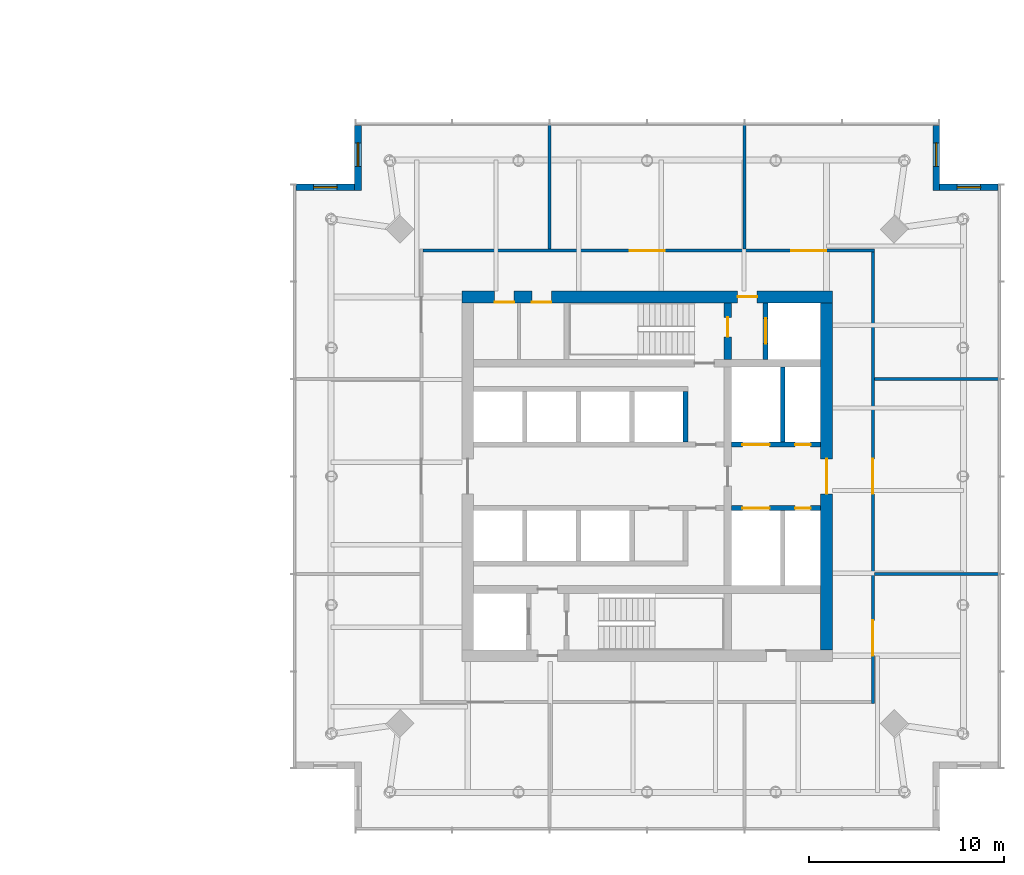
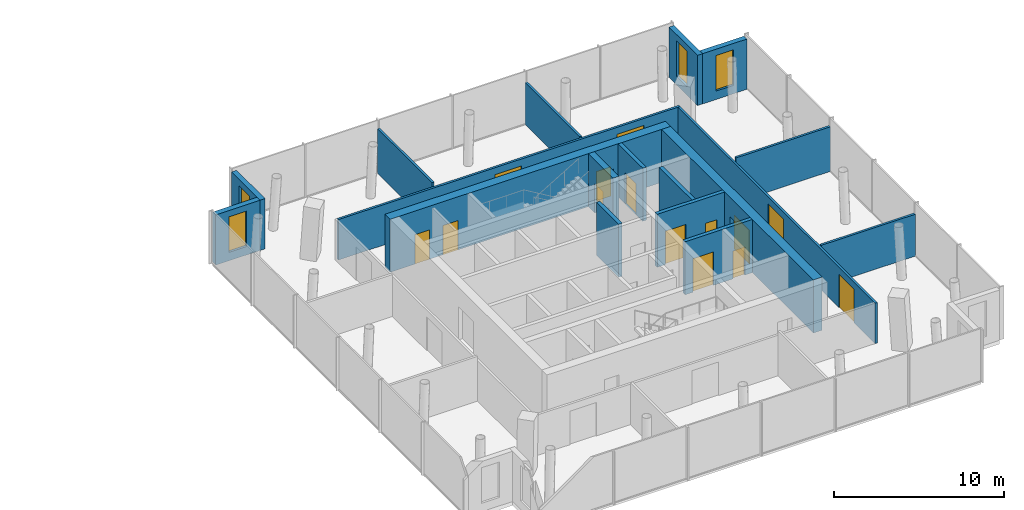
# One storey, part 15 of 18: 18 walls, 14 doors, 4 windows, 18 openings.
"""IFC4 building model written with IfcOpenShell, lengths in metres."""

from ifc_helpers import new_model, si_unit, direction, frame, frame_2d, origin, place, context, subcontext, project, spatial, rectangle, extrude, material, layer, layer_set, type_object, element, fill, save


model = new_model("IFC4")

# Units and contexts
model_context = context("Model", 3, precision=1e-05, world=origin(), true_north=direction((0.0, 1.0)))
body_context = subcontext(model_context, "Body", "Model", "MODEL_VIEW")
ifc_project = project(units=[si_unit("LENGTHUNIT", "METRE"), si_unit("AREAUNIT", "SQUARE_METRE"), si_unit("VOLUMEUNIT", "CUBIC_METRE"), si_unit("PLANEANGLEUNIT", "RADIAN"), si_unit("MASSUNIT", "GRAM", prefix="KILO")], contexts=[model_context])

# Site, building, storey
site_placement = place(None, origin())
site = spatial("IfcSite", under=ifc_project, at=site_placement, CompositionType="ELEMENT")
building_placement = place(site_placement, origin())
building = spatial("IfcBuilding", under=site, at=building_placement, Name="Ostroluk Exchange", CompositionType="ELEMENT")
storey_placement = place(building_placement, frame((0.0, 0.0, 85.60009765625)))
storey = spatial("IfcBuildingStorey", under=building, at=storey_placement, Name="L21", CompositionType="ELEMENT", Elevation=85.60009765625)

# Wall
ifc_material_1 = material(Name="Concrete blockwork", Category="masonry")
ifc_layer_1 = layer(ifc_material_1, 0.14990234375)
ifc_layer_set_1 = layer_set([ifc_layer_1], Name="Blockwork plant room wall 150")
wall_type_1 = type_object("IfcWallType", Name="Blockwork plant room wall 150", PredefinedType="SOLIDWALL", material=ifc_layer_set_1)
wall_1_placement = place(storey_placement, frame((128.64990234375, 41.0, 0.0), z_axis=(0.0, 0.0, 1.0), x_axis=(1.0, 0.0, 0.0)))
element("IfcWall", 1, at=wall_1_placement, inside=storey, type_object=wall_type_1, Name="Plant room wall", PredefinedType="SOLIDWALL", context=body_context, shape_type="SweptSolid", body=[
    extrude(rectangle(XDim=6.39013671875, YDim=0.14990234375, at=frame_2d((3.195068359375, 0.0))), origin(), (0.0, 0.0, 1.0), 3.0),
])

# Wall, openings, doors
wall_2_placement = place(storey_placement, frame((128.574951171875, 34.35009765625, 0.0), z_axis=(0.0, 0.0, 1.0), x_axis=(0.0, 1.0, 0.0)))
wall_2 = element("IfcWall", 2, at=wall_2_placement, inside=storey, type_object=wall_type_1, Name="Plant room wall", PredefinedType="SOLIDWALL", context=body_context, shape_type="SweptSolid", body=[
    extrude(rectangle(XDim=23.14990234375, YDim=0.14990234375, at=frame_2d((11.574951171875, 0.0))), origin(), (0.0, 0.0, 1.0), 2.89990234375),
])
opening_1_placement = place(wall_2_placement, frame((2.46240234375, 0.0, 0.0)))
opening_1 = element("IfcOpeningElement", 3, at=opening_1_placement, cuts=wall_2, Name="Opening D-05", PredefinedType="OPENING", context=body_context, shape_type="SweptSolid", body=[
    extrude(rectangle(XDim=1.800048828125, YDim=2.39990234375, at=frame_2d((0.89990234375, 1.199951171875))), frame((0.0, 0.0849609375, 0.0), z_axis=(0.0, -1.0, 0.0), x_axis=(1.0, 0.0, 0.0)), (0.0, 0.0, 1.0), 0.169921875),
])
opening_2_placement = place(wall_2_placement, frame((10.75, 0.0, 0.0)))
opening_2 = element("IfcOpeningElement", 4, at=opening_2_placement, cuts=wall_2, Name="Opening D-05", PredefinedType="OPENING", context=body_context, shape_type="SweptSolid", body=[
    extrude(rectangle(XDim=1.800048828125, YDim=2.39990234375, at=frame_2d((0.89990234375, 1.199951171875))), frame((0.0, 0.0849609375, 0.0), z_axis=(0.0, -1.0, 0.0), x_axis=(1.0, 0.0, 0.0)), (0.0, 0.0, 1.0), 0.169921875),
])
ifc_material_2 = material(Name="Steel", Category="steel")
door_type_1 = type_object("IfcDoorType", Name="Plant room double door EI 60 1800 x 2400", OperationType="DOUBLE_DOOR_SINGLE_SWING", PredefinedType="DOOR", material=ifc_material_2)
door_1_placement = place(opening_1_placement, origin())
door_1 = element("IfcDoor", 5, at=door_1_placement, inside=storey, type_object=door_type_1, Name="AHU room door", OperationType="DOUBLE_DOOR_SINGLE_SWING", OverallHeight=2.39990234375, OverallWidth=1.800048828125, PredefinedType="DOOR", context=body_context, shape_type="SweptSolid", body=[
    extrude(rectangle(XDim=1.800048828125, YDim=2.39990234375, at=frame_2d((0.89990234375, 1.199951171875))), frame((0.0, 0.02490234375, 0.0), z_axis=(0.0, -1.0, 0.0), x_axis=(1.0, 0.0, 0.0)), (0.0, 0.0, 1.0), 0.050048828125),
])
fill(opening_1, door_1)
door_2_placement = place(opening_2_placement, origin())
door_2 = element("IfcDoor", 6, at=door_2_placement, inside=storey, type_object=door_type_1, Name="Smoke extract fan room door", OperationType="DOUBLE_DOOR_SINGLE_SWING", OverallHeight=2.39990234375, OverallWidth=1.800048828125, PredefinedType="DOOR", context=body_context, shape_type="SweptSolid", body=[
    extrude(rectangle(XDim=1.800048828125, YDim=2.39990234375, at=frame_2d((0.89990234375, 1.199951171875))), frame((0.0, 0.02490234375, 0.0), z_axis=(0.0, -1.0, 0.0), x_axis=(1.0, 0.0, 0.0)), (0.0, 0.0, 1.0), 0.050048828125),
])
fill(opening_2, door_2)

# Walls
wall_3_placement = place(storey_placement, frame((128.64990234375, 51.0, 0.0), z_axis=(0.0, 0.0, 1.0), x_axis=(1.0, 0.0, 0.0)))
element("IfcWall", 7, at=wall_3_placement, inside=storey, type_object=wall_type_1, Name="Plant room wall", PredefinedType="SOLIDWALL", context=body_context, shape_type="SweptSolid", body=[
    extrude(rectangle(XDim=6.39013671875, YDim=0.14990234375, at=frame_2d((3.195068359375, 0.0))), origin(), (0.0, 0.0, 1.0), 3.199951171875),
])
wall_4_placement = place(storey_placement, frame((122.0, 57.64990234375, 0.0), z_axis=(0.0, 0.0, 1.0), x_axis=(0.0, 1.0, 0.0)))
element("IfcWall", 8, at=wall_4_placement, inside=storey, type_object=wall_type_1, Name="Plant room wall", PredefinedType="SOLIDWALL", context=body_context, shape_type="SweptSolid", body=[
    extrude(rectangle(XDim=6.39013671875, YDim=0.14990234375, at=frame_2d((3.195068359375, 0.0))), origin(), (0.0, 0.0, 1.0), 3.0),
])

# Wall, openings, doors
wall_5_placement = place(storey_placement, frame((128.64990234375, 57.574951171875, 0.0), z_axis=(0.0, 0.0, 1.0), x_axis=(-1.0, 0.0, 0.0)))
wall_5 = element("IfcWall", 9, at=wall_5_placement, inside=storey, type_object=wall_type_1, Name="Plant room wall", PredefinedType="SOLIDWALL", context=body_context, shape_type="SweptSolid", body=[
    extrude(rectangle(XDim=23.14990234375, YDim=0.14990234375, at=frame_2d((11.574951171875, 0.0))), origin(), (0.0, 0.0, 1.0), 2.89990234375),
])
opening_3_placement = place(wall_5_placement, frame((2.46240234375, 0.0, 0.0)))
opening_3 = element("IfcOpeningElement", 10, at=opening_3_placement, cuts=wall_5, Name="Opening D-05", PredefinedType="OPENING", context=body_context, shape_type="SweptSolid", body=[
    extrude(rectangle(XDim=1.800048828125, YDim=2.39990234375, at=frame_2d((0.89990234375, 1.199951171875))), frame((0.0, 0.0849609375, 0.0), z_axis=(0.0, -1.0, 0.0), x_axis=(1.0, 0.0, 0.0)), (0.0, 0.0, 1.0), 0.169921875),
])
opening_4_placement = place(wall_5_placement, frame((10.75, 0.0, 0.0)))
opening_4 = element("IfcOpeningElement", 11, at=opening_4_placement, cuts=wall_5, Name="Opening D-05", PredefinedType="OPENING", context=body_context, shape_type="SweptSolid", body=[
    extrude(rectangle(XDim=1.800048828125, YDim=2.39990234375, at=frame_2d((0.89990234375, 1.199951171875))), frame((0.0, 0.0849609375, 0.0), z_axis=(0.0, -1.0, 0.0), x_axis=(1.0, 0.0, 0.0)), (0.0, 0.0, 1.0), 0.169921875),
])
door_3_placement = place(opening_3_placement, origin())
door_3 = element("IfcDoor", 12, at=door_3_placement, inside=storey, type_object=door_type_1, Name="Water tank room door", OperationType="DOUBLE_DOOR_SINGLE_SWING", OverallHeight=2.39990234375, OverallWidth=1.800048828125, PredefinedType="DOOR", context=body_context, shape_type="SweptSolid", body=[
    extrude(rectangle(XDim=1.800048828125, YDim=2.39990234375, at=frame_2d((0.89990234375, 1.199951171875))), frame((0.0, 0.02490234375, 0.0), z_axis=(0.0, -1.0, 0.0), x_axis=(1.0, 0.0, 0.0)), (0.0, 0.0, 1.0), 0.050048828125),
])
fill(opening_3, door_3)
door_4_placement = place(opening_4_placement, origin())
door_4 = element("IfcDoor", 13, at=door_4_placement, inside=storey, type_object=door_type_1, Name="Booster pump room door", OperationType="DOUBLE_DOOR_SINGLE_SWING", OverallHeight=2.39990234375, OverallWidth=1.800048828125, PredefinedType="DOOR", context=body_context, shape_type="SweptSolid", body=[
    extrude(rectangle(XDim=1.800048828125, YDim=2.39990234375, at=frame_2d((0.89990234375, 1.199951171875))), frame((0.0, 0.02490234375, 0.0), z_axis=(0.0, -1.0, 0.0), x_axis=(1.0, 0.0, 0.0)), (0.0, 0.0, 1.0), 0.050048828125),
])
fill(opening_4, door_4)

# Wall
wall_6_placement = place(storey_placement, frame((112.0, 57.64990234375, 0.0), z_axis=(0.0, 0.0, 1.0), x_axis=(0.0, 1.0, 0.0)))
element("IfcWall", 14, at=wall_6_placement, inside=storey, type_object=wall_type_1, Name="Plant room wall", PredefinedType="SOLIDWALL", context=body_context, shape_type="SweptSolid", body=[
    extrude(rectangle(XDim=6.39013671875, YDim=0.14990234375, at=frame_2d((3.195068359375, 0.0))), origin(), (0.0, 0.0, 1.0), 3.199951171875),
])

# Wall, opening, door
ifc_material_3 = material(Name="Concrete C50/60", Category="concrete")
ifc_layer_2 = layer(ifc_material_3, 0.39990234375)
ifc_layer_set_2 = layer_set([ifc_layer_2], Name="Core cross wall 400 C50/60")
wall_type_2 = type_object("IfcWallType", Name="Core cross wall 400 C50/60", PredefinedType="SHEAR", material=ifc_layer_set_2)
wall_7_placement = place(storey_placement, frame((121.1298828125, 52.0, 0.0), z_axis=(0.0, 0.0, 1.0), x_axis=(0.0, 1.0, 0.0)))
wall_7 = element("IfcWall", 15, at=wall_7_placement, inside=storey, type_object=wall_type_2, Name="T2 core wall YE3", PredefinedType="SHEAR", context=body_context, shape_type="SweptSolid", body=[
    extrude(rectangle(XDim=2.89990234375, YDim=0.39990234375, at=frame_2d((1.449951171875, 0.0))), origin(), (0.0, 0.0, 1.0), 3.7998046875),
])
opening_5_placement = place(wall_7_placement, frame((1.14990234375, 0.0, 0.0)))
opening_5 = element("IfcOpeningElement", 16, at=opening_5_placement, cuts=wall_7, Name="Opening FD60", PredefinedType="OPENING", context=body_context, shape_type="SweptSolid", body=[
    extrude(rectangle(XDim=1.0, YDim=2.10009765625, at=frame_2d((0.5, 1.050048828125))), frame((0.0, 0.2099609375, 0.0), z_axis=(0.0, -1.0, 0.0), x_axis=(1.0, 0.0, 0.0)), (0.0, 0.0, 1.0), 0.419921875),
])
ifc_material_4 = material(Name="Steel", Category="steel")
door_type_2 = type_object("IfcDoorType", Name="Fire door EI 60 1000 x 2100", OperationType="SINGLE_SWING_LEFT", PredefinedType="DOOR", material=ifc_material_4)
door_5_placement = place(opening_5_placement, origin())
door_5 = element("IfcDoor", 17, at=door_5_placement, inside=storey, type_object=door_type_2, Name="Stair T2-S2 door", OperationType="SINGLE_SWING_RIGHT", OverallHeight=2.10009765625, OverallWidth=1.0, PredefinedType="DOOR", context=body_context, shape_type="SweptSolid", body=[
    extrude(rectangle(XDim=1.0, YDim=2.10009765625, at=frame_2d((0.5, 1.050048828125))), frame((0.0, 0.02490234375, 0.0), z_axis=(0.0, -1.0, 0.0), x_axis=(1.0, 0.0, 0.0)), (0.0, 0.0, 1.0), 0.050048828125),
])
fill(opening_5, door_5)

ifc_material_5 = material(Name="Concrete C40/50", Category="concrete")
ifc_layer_3 = layer(ifc_material_5, 0.25)
ifc_layer_set_3 = layer_set([ifc_layer_3], Name="Core shaft wall 250")
wall_type_3 = type_object("IfcWallType", Name="Core shaft wall 250", PredefinedType="SHEAR", material=ifc_layer_set_3)
wall_8_placement = place(storey_placement, frame((123.074951171875, 52.0, 0.0), z_axis=(0.0, 0.0, 1.0), x_axis=(0.0, 1.0, 0.0)))
wall_8 = element("IfcWall", 18, at=wall_8_placement, inside=storey, type_object=wall_type_3, Name="Firefighting lift shaft wall", PredefinedType="SHEAR", context=body_context, shape_type="SweptSolid", body=[
    extrude(rectangle(XDim=2.89990234375, YDim=0.25, at=frame_2d((1.449951171875, 0.0))), origin(), (0.0, 0.0, 1.0), 3.7998046875),
])
opening_6_placement = place(wall_8_placement, frame((0.800048828125, 0.0, 0.0)))
opening_6 = element("IfcOpeningElement", 19, at=opening_6_placement, cuts=wall_8, Name="Opening LD2", PredefinedType="OPENING", context=body_context, shape_type="SweptSolid", body=[
    extrude(rectangle(XDim=1.300048828125, YDim=2.199951171875, at=frame_2d((0.64990234375, 1.10009765625))), frame((0.0, 0.135009765625, 0.0), z_axis=(0.0, -1.0, 0.0), x_axis=(1.0, 0.0, 0.0)), (0.0, 0.0, 1.0), 0.27001953125),
])
ifc_material_6 = material(Name="Stainless steel", Category="steel")
door_type_3 = type_object("IfcDoorType", Name="Lift landing door E 60 1300 x 2200", OperationType="DOUBLE_DOOR_SLIDING", PredefinedType="DOOR", material=ifc_material_6)
door_6_placement = place(opening_6_placement, origin())
door_6 = element("IfcDoor", 20, at=door_6_placement, inside=storey, type_object=door_type_3, Name="Lift HF2 landing door", OperationType="DOUBLE_DOOR_SLIDING", OverallHeight=2.199951171875, OverallWidth=1.300048828125, PredefinedType="DOOR", context=body_context, shape_type="SweptSolid", body=[
    extrude(rectangle(XDim=1.300048828125, YDim=2.199951171875, at=frame_2d((0.64990234375, 1.10009765625))), frame((0.0, 0.02490234375, 0.0), z_axis=(0.0, -1.0, 0.0), x_axis=(1.0, 0.0, 0.0)), (0.0, 0.0, 1.0), 0.050048828125),
])
fill(opening_6, door_6)

# Walls
wall_9_placement = place(storey_placement, frame((118.97509765625, 47.75, 0.0), z_axis=(0.0, 0.0, 1.0), x_axis=(0.0, 1.0, 0.0)))
element("IfcWall", 21, at=wall_9_placement, inside=storey, type_object=wall_type_3, Name="Lift shaft wall", PredefinedType="SHEAR", context=body_context, shape_type="SweptSolid", body=[
    extrude(rectangle(XDim=2.60009765625, YDim=0.25, at=frame_2d((1.300048828125, 0.0))), origin(), (0.0, 0.0, 1.0), 3.7998046875),
])
wall_10_placement = place(storey_placement, frame((123.955078125, 47.75, 0.0), z_axis=(0.0, 0.0, 1.0), x_axis=(0.0, 1.0, 0.0)))
element("IfcWall", 22, at=wall_10_placement, inside=storey, type_object=wall_type_3, Name="Lift shaft wall", PredefinedType="SHEAR", context=body_context, shape_type="SweptSolid", body=[
    extrude(rectangle(XDim=3.85009765625, YDim=0.25, at=frame_2d((1.925048828125, 0.0))), origin(), (0.0, 0.0, 1.0), 3.7998046875),
])

# Wall, openings, doors
wall_11_placement = place(storey_placement, frame((121.330078125, 47.625, 0.0), z_axis=(0.0, 0.0, 1.0), x_axis=(1.0, 0.0, 0.0)))
wall_11 = element("IfcWall", 23, at=wall_11_placement, inside=storey, type_object=wall_type_3, Name="Lift shaft front wall", PredefinedType="SHEAR", context=body_context, shape_type="SweptSolid", body=[
    extrude(rectangle(XDim=4.56982421875, YDim=0.25, at=frame_2d((2.284912109375, 0.0))), origin(), (0.0, 0.0, 1.0), 3.7998046875),
])
opening_7_placement = place(wall_11_placement, frame((0.550048828125, 0.0, 0.0)))
opening_7 = element("IfcOpeningElement", 24, at=opening_7_placement, cuts=wall_11, Name="Opening LD3", PredefinedType="OPENING", context=body_context, shape_type="SweptSolid", body=[
    extrude(rectangle(XDim=1.39990234375, YDim=2.39990234375, at=frame_2d((0.699951171875, 1.199951171875))), frame((0.0, 0.135009765625, 0.0), z_axis=(0.0, -1.0, 0.0), x_axis=(1.0, 0.0, 0.0)), (0.0, 0.0, 1.0), 0.27001953125),
])
opening_8_placement = place(wall_11_placement, frame((3.260009765625, 0.0, 0.0)))
opening_8 = element("IfcOpeningElement", 25, at=opening_8_placement, cuts=wall_11, Name="Opening RD60", PredefinedType="OPENING", context=body_context, shape_type="SweptSolid", body=[
    extrude(rectangle(XDim=0.800048828125, YDim=2.0, at=frame_2d((0.39990234375, 1.0))), frame((0.0, 0.135009765625, 0.0), z_axis=(0.0, -1.0, 0.0), x_axis=(1.0, 0.0, 0.0)), (0.0, 0.0, 1.0), 0.27001953125),
])
ifc_material_7 = material(Name="Stainless steel", Category="steel")
door_type_4 = type_object("IfcDoorType", Name="Goods lift landing door E 60 1400 x 2400", OperationType="DOUBLE_DOOR_SLIDING", PredefinedType="DOOR", material=ifc_material_7)
door_7_placement = place(opening_7_placement, origin())
door_7 = element("IfcDoor", 26, at=door_7_placement, inside=storey, type_object=door_type_4, Name="Lift HS1 landing door", OperationType="DOUBLE_DOOR_SLIDING", OverallHeight=2.39990234375, OverallWidth=1.39990234375, PredefinedType="DOOR", context=body_context, shape_type="SweptSolid", body=[
    extrude(rectangle(XDim=1.39990234375, YDim=2.39990234375, at=frame_2d((0.699951171875, 1.199951171875))), frame((0.0, 0.02490234375, 0.0), z_axis=(0.0, -1.0, 0.0), x_axis=(1.0, 0.0, 0.0)), (0.0, 0.0, 1.0), 0.050048828125),
])
fill(opening_7, door_7)
ifc_material_8 = material(Name="Steel", Category="steel")
door_type_5 = type_object("IfcDoorType", Name="Riser access door EI 60 800 x 2000", OperationType="SINGLE_SWING_LEFT", PredefinedType="DOOR", material=ifc_material_8)
door_8_placement = place(opening_8_placement, origin())
door_8 = element("IfcDoor", 27, at=door_8_placement, inside=storey, type_object=door_type_5, Name="Riser access door", OperationType="SINGLE_SWING_RIGHT", OverallHeight=2.0, OverallWidth=0.800048828125, PredefinedType="DOOR", context=body_context, shape_type="SweptSolid", body=[
    extrude(rectangle(XDim=0.800048828125, YDim=2.0, at=frame_2d((0.39990234375, 1.0))), frame((0.0, 0.02490234375, 0.0), z_axis=(0.0, -1.0, 0.0), x_axis=(1.0, 0.0, 0.0)), (0.0, 0.0, 1.0), 0.050048828125),
])
fill(opening_8, door_8)

wall_12_placement = place(storey_placement, frame((121.330078125, 44.375, 0.0), z_axis=(0.0, 0.0, 1.0), x_axis=(1.0, 0.0, 0.0)))
wall_12 = element("IfcWall", 28, at=wall_12_placement, inside=storey, type_object=wall_type_3, Name="Lift shaft front wall", PredefinedType="SHEAR", context=body_context, shape_type="SweptSolid", body=[
    extrude(rectangle(XDim=4.56982421875, YDim=0.25, at=frame_2d((2.284912109375, 0.0))), origin(), (0.0, 0.0, 1.0), 3.7998046875),
])
opening_9_placement = place(wall_12_placement, frame((0.550048828125, 0.0, 0.0)))
opening_9 = element("IfcOpeningElement", 29, at=opening_9_placement, cuts=wall_12, Name="Opening LD3", PredefinedType="OPENING", context=body_context, shape_type="SweptSolid", body=[
    extrude(rectangle(XDim=1.39990234375, YDim=2.39990234375, at=frame_2d((0.699951171875, 1.199951171875))), frame((0.0, 0.135009765625, 0.0), z_axis=(0.0, -1.0, 0.0), x_axis=(1.0, 0.0, 0.0)), (0.0, 0.0, 1.0), 0.27001953125),
])
opening_10_placement = place(wall_12_placement, frame((3.260009765625, 0.0, 0.0)))
opening_10 = element("IfcOpeningElement", 30, at=opening_10_placement, cuts=wall_12, Name="Opening RD60", PredefinedType="OPENING", context=body_context, shape_type="SweptSolid", body=[
    extrude(rectangle(XDim=0.800048828125, YDim=2.0, at=frame_2d((0.39990234375, 1.0))), frame((0.0, 0.135009765625, 0.0), z_axis=(0.0, -1.0, 0.0), x_axis=(1.0, 0.0, 0.0)), (0.0, 0.0, 1.0), 0.27001953125),
])
door_9_placement = place(opening_9_placement, origin())
door_9 = element("IfcDoor", 31, at=door_9_placement, inside=storey, type_object=door_type_4, Name="Lift HS2 landing door", OperationType="DOUBLE_DOOR_SLIDING", OverallHeight=2.39990234375, OverallWidth=1.39990234375, PredefinedType="DOOR", context=body_context, shape_type="SweptSolid", body=[
    extrude(rectangle(XDim=1.39990234375, YDim=2.39990234375, at=frame_2d((0.699951171875, 1.199951171875))), frame((0.0, 0.02490234375, 0.0), z_axis=(0.0, -1.0, 0.0), x_axis=(1.0, 0.0, 0.0)), (0.0, 0.0, 1.0), 0.050048828125),
])
fill(opening_9, door_9)
door_10_placement = place(opening_10_placement, origin())
door_10 = element("IfcDoor", 32, at=door_10_placement, inside=storey, type_object=door_type_5, Name="Riser access door", OperationType="SINGLE_SWING_RIGHT", OverallHeight=2.0, OverallWidth=0.800048828125, PredefinedType="DOOR", context=body_context, shape_type="SweptSolid", body=[
    extrude(rectangle(XDim=0.800048828125, YDim=2.0, at=frame_2d((0.39990234375, 1.0))), frame((0.0, 0.02490234375, 0.0), z_axis=(0.0, -1.0, 0.0), x_axis=(1.0, 0.0, 0.0)), (0.0, 0.0, 1.0), 0.050048828125),
])
fill(opening_10, door_10)

ifc_material_9 = material(Name="Concrete C50/60", Category="concrete")
ifc_layer_4 = layer(ifc_material_9, 0.60009765625)
ifc_layer_set_4 = layer_set([ifc_layer_4], Name="Core wall 600 C50/60")
wall_type_4 = type_object("IfcWallType", Name="Core wall 600 C50/60", PredefinedType="SHEAR", material=ifc_layer_set_4)
wall_13_placement = place(storey_placement, frame((107.5, 55.199951171875, 0.0), z_axis=(0.0, 0.0, 1.0), x_axis=(1.0, 0.0, 0.0)))
wall_13 = element("IfcWall", 33, at=wall_13_placement, inside=storey, type_object=wall_type_4, Name="T2 core wall N", PredefinedType="SHEAR", context=body_context, shape_type="SweptSolid", body=[
    extrude(rectangle(XDim=19.0, YDim=0.60009765625, at=frame_2d((9.5, 0.0))), origin(), (0.0, 0.0, 1.0), 3.7998046875),
])
opening_11_placement = place(wall_13_placement, frame((14.139892578125, 0.0, 0.0)))
opening_11 = element("IfcOpeningElement", 34, at=opening_11_placement, cuts=wall_13, Name="Opening FD60", PredefinedType="OPENING", context=body_context, shape_type="SweptSolid", body=[
    extrude(rectangle(XDim=1.0, YDim=2.10009765625, at=frame_2d((0.5, 1.050048828125))), frame((0.0, 0.31005859375, 0.0), z_axis=(0.0, -1.0, 0.0), x_axis=(1.0, 0.0, 0.0)), (0.0, 0.0, 1.0), 0.6201171875),
])
opening_12_placement = place(wall_13_placement, frame((1.675048828125, 0.0, 0.0)))
opening_12 = element("IfcOpeningElement", 35, at=opening_12_placement, cuts=wall_13, Name="Opening FD60", PredefinedType="OPENING", context=body_context, shape_type="SweptSolid", body=[
    extrude(rectangle(XDim=1.0, YDim=2.10009765625, at=frame_2d((0.5, 1.050048828125))), frame((0.0, 0.31005859375, 0.0), z_axis=(0.0, -1.0, 0.0), x_axis=(1.0, 0.0, 0.0)), (0.0, 0.0, 1.0), 0.6201171875),
])
opening_13_placement = place(wall_13_placement, frame((3.58740234375, 0.0, 0.0)))
opening_13 = element("IfcOpeningElement", 36, at=opening_13_placement, cuts=wall_13, Name="Opening FD60", PredefinedType="OPENING", context=body_context, shape_type="SweptSolid", body=[
    extrude(rectangle(XDim=1.0, YDim=2.10009765625, at=frame_2d((0.5, 1.050048828125))), frame((0.0, 0.31005859375, 0.0), z_axis=(0.0, -1.0, 0.0), x_axis=(1.0, 0.0, 0.0)), (0.0, 0.0, 1.0), 0.6201171875),
])
door_11_placement = place(opening_11_placement, origin())
door_11 = element("IfcDoor", 37, at=door_11_placement, inside=storey, type_object=door_type_2, Name="Firefighting lobby door", OperationType="SINGLE_SWING_RIGHT", OverallHeight=2.10009765625, OverallWidth=1.0, PredefinedType="DOOR", context=body_context, shape_type="SweptSolid", body=[
    extrude(rectangle(XDim=1.0, YDim=2.10009765625, at=frame_2d((0.5, 1.050048828125))), frame((0.0, 0.02490234375, 0.0), z_axis=(0.0, -1.0, 0.0), x_axis=(1.0, 0.0, 0.0)), (0.0, 0.0, 1.0), 0.050048828125),
])
fill(opening_11, door_11)
door_12_placement = place(opening_12_placement, origin())
door_12 = element("IfcDoor", 38, at=door_12_placement, inside=storey, type_object=door_type_2, Name="Plant control room door", OperationType="SINGLE_SWING_LEFT", OverallHeight=2.10009765625, OverallWidth=1.0, PredefinedType="DOOR", context=body_context, shape_type="SweptSolid", body=[
    extrude(rectangle(XDim=1.0, YDim=2.10009765625, at=frame_2d((0.5, 1.050048828125))), frame((0.0, -0.23974609375, 0.0), z_axis=(0.0, -1.0, 0.0), x_axis=(1.0, 0.0, 0.0)), (0.0, 0.0, 1.0), 0.050048828125),
])
fill(opening_12, door_12)
door_13_placement = place(opening_13_placement, origin())
door_13 = element("IfcDoor", 39, at=door_13_placement, inside=storey, type_object=door_type_2, Name="Plant control room door", OperationType="SINGLE_SWING_LEFT", OverallHeight=2.10009765625, OverallWidth=1.0, PredefinedType="DOOR", context=body_context, shape_type="SweptSolid", body=[
    extrude(rectangle(XDim=1.0, YDim=2.10009765625, at=frame_2d((0.5, 1.050048828125))), frame((0.0, -0.23974609375, 0.0), z_axis=(0.0, -1.0, 0.0), x_axis=(1.0, 0.0, 0.0)), (0.0, 0.0, 1.0), 0.050048828125),
])
fill(opening_13, door_13)

# Wall, opening, door
wall_14_placement = place(storey_placement, frame((126.199951171875, 37.10009765625, 0.0), z_axis=(0.0, 0.0, 1.0), x_axis=(0.0, 1.0, 0.0)))
wall_14 = element("IfcWall", 40, at=wall_14_placement, inside=storey, type_object=wall_type_4, Name="T2 core wall E", PredefinedType="SHEAR", context=body_context, shape_type="SweptSolid", body=[
    extrude(rectangle(XDim=17.7998046875, YDim=0.60009765625, at=frame_2d((8.89990234375, 0.0))), origin(), (0.0, 0.0, 1.0), 3.7998046875),
])
opening_14_placement = place(wall_14_placement, frame((8.0, 0.0, 0.0)))
opening_14 = element("IfcOpeningElement", 41, at=opening_14_placement, cuts=wall_14, Name="Opening FD30D", PredefinedType="OPENING", context=body_context, shape_type="SweptSolid", body=[
    extrude(rectangle(XDim=1.800048828125, YDim=2.39990234375, at=frame_2d((0.89990234375, 1.199951171875))), frame((0.0, 0.31005859375, 0.0), z_axis=(0.0, -1.0, 0.0), x_axis=(1.0, 0.0, 0.0)), (0.0, 0.0, 1.0), 0.6201171875),
])
ifc_material_10 = material(Name="Timber", Category="wood")
door_type_6 = type_object("IfcDoorType", Name="Lobby double door EI 30 1800 x 2400", OperationType="DOUBLE_DOOR_SINGLE_SWING", PredefinedType="DOOR", material=ifc_material_10)
door_14_placement = place(opening_14_placement, origin())
door_14 = element("IfcDoor", 42, at=door_14_placement, inside=storey, type_object=door_type_6, Name="Lift lobby doors", OperationType="DOUBLE_DOOR_SINGLE_SWING", OverallHeight=2.39990234375, OverallWidth=1.800048828125, PredefinedType="DOOR", context=body_context, shape_type="SweptSolid", body=[
    extrude(rectangle(XDim=1.800048828125, YDim=2.39990234375, at=frame_2d((0.89990234375, 1.199951171875))), frame((0.0, 0.02490234375, 0.0), z_axis=(0.0, -1.0, 0.0), x_axis=(1.0, 0.0, 0.0)), (0.0, 0.0, 1.0), 0.050048828125),
])
fill(opening_14, door_14)

# Wall, opening, window
ifc_material_11 = material(Name="Limestone", Category="masonry")
ifc_layer_5 = layer(ifc_material_11, 0.35009765625)
ifc_layer_set_5 = layer_set([ifc_layer_5], Name="Limestone facade wall 350")
wall_type_5 = type_object("IfcWallType", Name="Limestone facade wall 350", PredefinedType="SOLIDWALL", material=ifc_layer_set_5)
wall_15_placement = place(storey_placement, frame((131.824951171875, 64.0, 0.0), z_axis=(0.0, 0.0, 1.0), x_axis=(0.0, -1.0, 0.0)))
wall_15 = element("IfcWall", 43, at=wall_15_placement, inside=storey, type_object=wall_type_5, Name="Hotel tower NE corner wall L21 a", PredefinedType="SOLIDWALL", context=body_context, shape_type="SweptSolid", body=[
    extrude(rectangle(XDim=3.35009765625, YDim=0.35009765625, at=frame_2d((1.675048828125, 0.0))), origin(), (0.0, 0.0, 1.0), 3.599853515625),
])
opening_15_placement = place(wall_15_placement, frame((0.89990234375, 0.0, 0.60009765625)))
opening_15 = element("IfcOpeningElement", 44, at=opening_15_placement, cuts=wall_15, Name="Opening WN-LV1", PredefinedType="OPENING", context=body_context, shape_type="SweptSolid", body=[
    extrude(rectangle(XDim=1.199951171875, YDim=2.550048828125, at=frame_2d((0.60009765625, 1.27490234375))), frame((0.0, 0.18505859375, 0.0), z_axis=(0.0, -1.0, 0.0), x_axis=(1.0, 0.0, 0.0)), (0.0, 0.0, 1.0), 0.3701171875),
])
ifc_material_12 = material(Name="Aluminium louvre", Category="aluminium")
window_type = type_object("IfcWindowType", Name="Lancet louvre 1200 x 2550", PartitioningType="SINGLE_PANEL", PredefinedType="USERDEFINED", material=ifc_material_12)
window_1_placement = place(opening_15_placement, origin())
window_1 = element("IfcWindow", 45, at=window_1_placement, inside=storey, type_object=window_type, Name="Hotel tower NE plant louvre L21", ObjectType="LOUVRE", OverallHeight=2.550048828125, OverallWidth=1.199951171875, PartitioningType="SINGLE_PANEL", PredefinedType="USERDEFINED", context=body_context, shape_type="SweptSolid", body=[
    extrude(rectangle(XDim=1.199951171875, YDim=2.550048828125, at=frame_2d((0.60009765625, 1.27490234375))), frame((0.0, 0.030029296875, 0.0), z_axis=(0.0, -1.0, 0.0), x_axis=(1.0, 0.0, 0.0)), (0.0, 0.0, 1.0), 0.06005859375),
])
fill(opening_15, window_1)

wall_16_placement = place(storey_placement, frame((132.0, 60.824951171875, 0.0), z_axis=(0.0, 0.0, 1.0), x_axis=(1.0, 0.0, 0.0)))
wall_16 = element("IfcWall", 46, at=wall_16_placement, inside=storey, type_object=wall_type_5, Name="Hotel tower NE corner wall L21 b", PredefinedType="SOLIDWALL", context=body_context, shape_type="SweptSolid", body=[
    extrude(rectangle(XDim=3.0, YDim=0.35009765625, at=frame_2d((1.5, 0.0))), origin(), (0.0, 0.0, 1.0), 3.599853515625),
])
opening_16_placement = place(wall_16_placement, frame((0.89990234375, 0.0, 0.60009765625)))
opening_16 = element("IfcOpeningElement", 47, at=opening_16_placement, cuts=wall_16, Name="Opening WN-LV1", PredefinedType="OPENING", context=body_context, shape_type="SweptSolid", body=[
    extrude(rectangle(XDim=1.199951171875, YDim=2.550048828125, at=frame_2d((0.60009765625, 1.27490234375))), frame((0.0, 0.18505859375, 0.0), z_axis=(0.0, -1.0, 0.0), x_axis=(1.0, 0.0, 0.0)), (0.0, 0.0, 1.0), 0.3701171875),
])
window_2_placement = place(opening_16_placement, origin())
window_2 = element("IfcWindow", 48, at=window_2_placement, inside=storey, type_object=window_type, Name="Hotel tower NE plant louvre L21", ObjectType="LOUVRE", OverallHeight=2.550048828125, OverallWidth=1.199951171875, PartitioningType="SINGLE_PANEL", PredefinedType="USERDEFINED", context=body_context, shape_type="SweptSolid", body=[
    extrude(rectangle(XDim=1.199951171875, YDim=2.550048828125, at=frame_2d((0.60009765625, 1.27490234375))), frame((0.0, 0.030029296875, 0.0), z_axis=(0.0, -1.0, 0.0), x_axis=(1.0, 0.0, 0.0)), (0.0, 0.0, 1.0), 0.06005859375),
])
fill(opening_16, window_2)

wall_17_placement = place(storey_placement, frame((102.175048828125, 64.0, 0.0), z_axis=(0.0, 0.0, 1.0), x_axis=(0.0, -1.0, 0.0)))
wall_17 = element("IfcWall", 49, at=wall_17_placement, inside=storey, type_object=wall_type_5, Name="Hotel tower NW corner wall L21 a", PredefinedType="SOLIDWALL", context=body_context, shape_type="SweptSolid", body=[
    extrude(rectangle(XDim=3.35009765625, YDim=0.35009765625, at=frame_2d((1.675048828125, 0.0))), origin(), (0.0, 0.0, 1.0), 3.599853515625),
])
opening_17_placement = place(wall_17_placement, frame((0.89990234375, 0.0, 0.60009765625)))
opening_17 = element("IfcOpeningElement", 50, at=opening_17_placement, cuts=wall_17, Name="Opening WN-LV1", PredefinedType="OPENING", context=body_context, shape_type="SweptSolid", body=[
    extrude(rectangle(XDim=1.199951171875, YDim=2.550048828125, at=frame_2d((0.60009765625, 1.27490234375))), frame((0.0, 0.18505859375, 0.0), z_axis=(0.0, -1.0, 0.0), x_axis=(1.0, 0.0, 0.0)), (0.0, 0.0, 1.0), 0.3701171875),
])
window_3_placement = place(opening_17_placement, origin())
window_3 = element("IfcWindow", 51, at=window_3_placement, inside=storey, type_object=window_type, Name="Hotel tower NW plant louvre L21", ObjectType="LOUVRE", OverallHeight=2.550048828125, OverallWidth=1.199951171875, PartitioningType="SINGLE_PANEL", PredefinedType="USERDEFINED", context=body_context, shape_type="SweptSolid", body=[
    extrude(rectangle(XDim=1.199951171875, YDim=2.550048828125, at=frame_2d((0.60009765625, 1.27490234375))), frame((0.0, 0.030029296875, 0.0), z_axis=(0.0, -1.0, 0.0), x_axis=(1.0, 0.0, 0.0)), (0.0, 0.0, 1.0), 0.06005859375),
])
fill(opening_17, window_3)

wall_18_placement = place(storey_placement, frame((102.0, 60.824951171875, 0.0), z_axis=(0.0, 0.0, 1.0), x_axis=(-1.0, 0.0, 0.0)))
wall_18 = element("IfcWall", 52, at=wall_18_placement, inside=storey, type_object=wall_type_5, Name="Hotel tower NW corner wall L21 b", PredefinedType="SOLIDWALL", context=body_context, shape_type="SweptSolid", body=[
    extrude(rectangle(XDim=3.0, YDim=0.35009765625, at=frame_2d((1.5, 0.0))), origin(), (0.0, 0.0, 1.0), 3.599853515625),
])
opening_18_placement = place(wall_18_placement, frame((0.89990234375, 0.0, 0.60009765625)))
opening_18 = element("IfcOpeningElement", 53, at=opening_18_placement, cuts=wall_18, Name="Opening WN-LV1", PredefinedType="OPENING", context=body_context, shape_type="SweptSolid", body=[
    extrude(rectangle(XDim=1.199951171875, YDim=2.550048828125, at=frame_2d((0.60009765625, 1.27490234375))), frame((0.0, 0.18505859375, 0.0), z_axis=(0.0, -1.0, 0.0), x_axis=(1.0, 0.0, 0.0)), (0.0, 0.0, 1.0), 0.3701171875),
])
window_4_placement = place(opening_18_placement, origin())
window_4 = element("IfcWindow", 54, at=window_4_placement, inside=storey, type_object=window_type, Name="Hotel tower NW plant louvre L21", ObjectType="LOUVRE", OverallHeight=2.550048828125, OverallWidth=1.199951171875, PartitioningType="SINGLE_PANEL", PredefinedType="USERDEFINED", context=body_context, shape_type="SweptSolid", body=[
    extrude(rectangle(XDim=1.199951171875, YDim=2.550048828125, at=frame_2d((0.60009765625, 1.27490234375))), frame((0.0, 0.030029296875, 0.0), z_axis=(0.0, -1.0, 0.0), x_axis=(1.0, 0.0, 0.0)), (0.0, 0.0, 1.0), 0.06005859375),
])
fill(opening_18, window_4)

save(model, "model.ifc")
